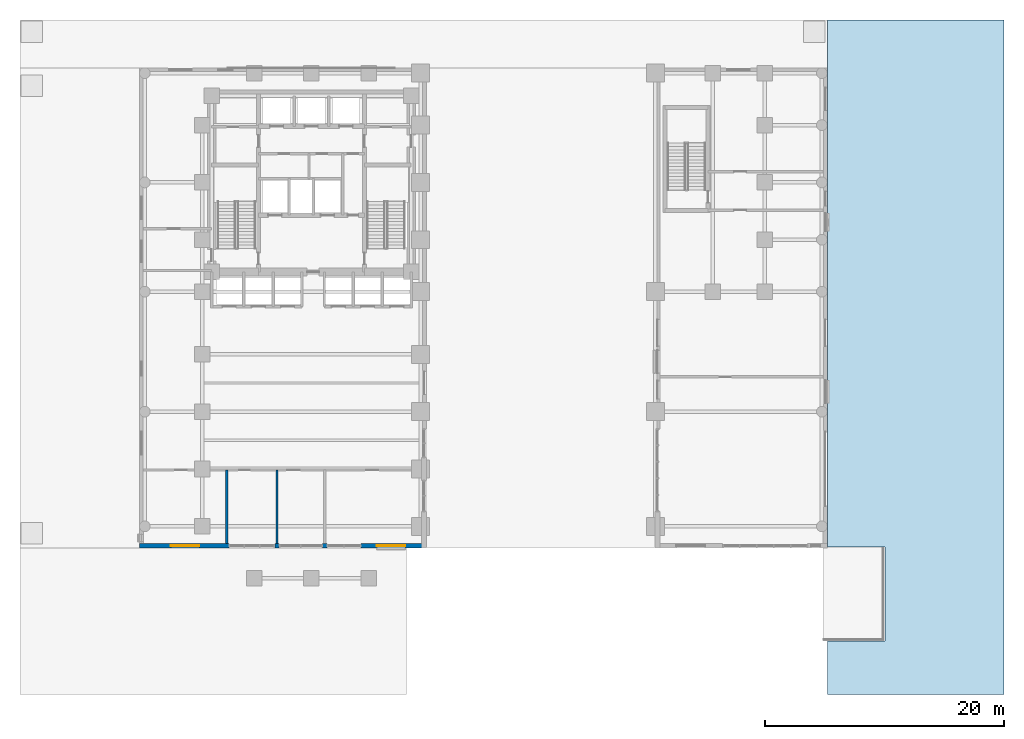
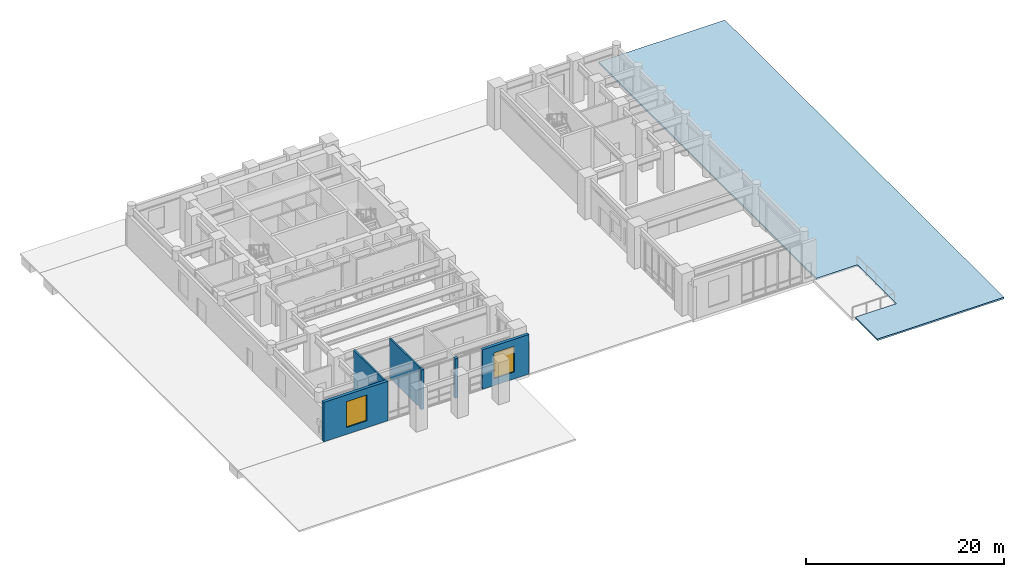
# One storey, part 7 of 16: 6 walls, 2 windows, 1 slab, 2 openings.
"""IFC4 building model written with IfcOpenShell, lengths in metres."""

from ifc_helpers import new_model, si_unit, direction, frame, frame_2d, origin, place, context, subcontext, project, spatial, polyline, rectangle, outline, extrude, material, layer, layer_set, type_object, element, fill, save


model = new_model("IFC4")

# Units and contexts
model_context = context("Model", 3, precision=1e-05, world=origin(), true_north=direction((0.0, 1.0)))
body_context = subcontext(model_context, "Body", "Model", "MODEL_VIEW")
ifc_project = project(units=[si_unit("LENGTHUNIT", "METRE"), si_unit("AREAUNIT", "SQUARE_METRE"), si_unit("VOLUMEUNIT", "CUBIC_METRE"), si_unit("PLANEANGLEUNIT", "RADIAN"), si_unit("MASSUNIT", "GRAM", prefix="KILO")], contexts=[model_context])

# Site, building, storey
site_placement = place(None, origin())
site = spatial("IfcSite", under=ifc_project, at=site_placement, CompositionType="ELEMENT")
building_placement = place(site_placement, origin())
building = spatial("IfcBuilding", under=site, at=building_placement, Name="Orvandelia Arch Residences", CompositionType="ELEMENT")
storey_placement = place(building_placement, origin())
storey = spatial("IfcBuildingStorey", under=building, at=storey_placement, Name="L00", CompositionType="ELEMENT", Elevation=0.0)

# Slab
ifc_material_1 = material(Name="Precast concrete C40/50", Category="concrete")
ifc_layer_1 = layer(ifc_material_1, 0.199951171875, Name="Precast concrete C40/50", Category="concrete")
ifc_layer_set_1 = layer_set([ifc_layer_1], Name="Precast concrete C40/50")
slab_type = type_object("IfcSlabType", Name="SLB-PAV-200", PredefinedType="USERDEFINED", material=ifc_layer_set_1)
slab_placement = place(storey_placement, frame((0.0, 0.0, -0.199951171875)))
element("IfcSlab", 1, at=slab_placement, inside=storey, type_object=slab_type, Name="East Coastal Driveway & Promenade Paving", ObjectType="PAVING", PredefinedType="USERDEFINED", context=body_context, shape_type="SweptSolid", body=[
    extrude(outline(polyline([(57.6201171875, -4.5), (72.39990234375, -4.5), (72.39990234375, 52.0), (57.6201171875, 52.0), (57.6201171875, 7.8798828125), (62.419921875, 7.8798828125), (62.419921875, -0.02001953125), (57.6201171875, -0.02001953125), (57.6201171875, -4.5)])), origin(), (0.0, 0.0, 1.0), 0.199951171875),
])

# Wall
ifc_material_2 = material(Name="Fire-Rated Corridor Partition")
ifc_layer_2 = layer(ifc_material_2, 0.199951171875, Name="Fire-Rated Corridor Partition")
ifc_layer_set_2 = layer_set([ifc_layer_2], Name="Fire-Rated Corridor Partition")
wall_type_1 = type_object("IfcWallType", Name="WL-CORR-200", PredefinedType="PARTITIONING", material=ifc_layer_set_2)
wall_1_placement = place(storey_placement, frame((7.320068359375, 8.159912109375, 0.0), z_axis=(0.0, 0.0, 1.0), x_axis=(0.0, 1.0, 0.0)))
element("IfcWall", 2, at=wall_1_placement, inside=storey, type_object=wall_type_1, Name="Interior Partition Wall WL-L00-FCR-E", PredefinedType="PARTITIONING", context=body_context, shape_type="SweptSolid", body=[
    extrude(rectangle(XDim=6.16015625, YDim=0.199951171875, at=frame_2d((3.080078125, 0.0))), origin(), (0.0, 0.0, 1.0), 4.889892578125),
])

# Wall, opening, window
ifc_layer_3 = layer(ifc_material_1, 0.35009765625, Name="Precast concrete C40/50", Category="concrete")
ifc_layer_set_3 = layer_set([ifc_layer_3], Name="Precast concrete C40/50")
wall_type_2 = type_object("IfcWallType", Name="WL-EXT-POD-350", PredefinedType="STANDARD", material=ifc_layer_set_3)
wall_2_placement = place(storey_placement, frame((24.0, 7.97509765625, 0.0), z_axis=(0.0, 0.0, 1.0), x_axis=(-1.0, 0.0, 0.0)))
wall_2 = element("IfcWall", 3, at=wall_2_placement, inside=storey, type_object=wall_type_2, Name="Coral-Limestone Precast Facade Wall L00-005", PredefinedType="STANDARD", context=body_context, shape_type="SweptSolid", body=[
    extrude(rectangle(XDim=5.43994140625, YDim=0.35009765625, at=frame_2d((2.719970703125, 0.0))), origin(), (0.0, 0.0, 1.0), 4.889892578125),
])
opening_1_placement = place(wall_2_placement, frame((1.72509765625, 0.0, 0.85009765625)))
opening_1 = element("IfcOpeningElement", 4, at=opening_1_placement, cuts=wall_2, Name="Opening W5", PredefinedType="OPENING", context=body_context, shape_type="SweptSolid", body=[
    extrude(rectangle(XDim=2.39990234375, YDim=3.199951171875, at=frame_2d((1.199951171875, 1.60009765625))), frame((0.0, 0.18505859375, 0.0), z_axis=(0.0, -1.0, 0.0), x_axis=(1.0, 0.0, 0.0)), (0.0, 0.0, 1.0), 0.3701171875),
])
ifc_material_3 = material(Name="Laminated Acoustic Double Glazing", Category="glass")
window_type = type_object("IfcWindowType", Name="WIN-POD-2400x3200", PartitioningType="SINGLE_PANEL", PredefinedType="WINDOW", material=ifc_material_3)
window_1_placement = place(opening_1_placement, origin())
window_1 = element("IfcWindow", 5, at=window_1_placement, inside=storey, type_object=window_type, Name="Recessed Punched Window L00-003", OverallHeight=3.199951171875, OverallWidth=2.39990234375, PartitioningType="SINGLE_PANEL", PredefinedType="WINDOW", context=body_context, shape_type="SweptSolid", body=[
    extrude(rectangle(XDim=2.39990234375, YDim=3.199951171875, at=frame_2d((1.199951171875, 1.60009765625))), frame((0.0, 0.030029296875, 0.0), z_axis=(0.0, -1.0, 0.0), x_axis=(1.0, 0.0, 0.0)), (0.0, 0.0, 1.0), 0.06005859375),
])
fill(opening_1, window_1)

# Walls
for number, where, z_axis, x_axis, name in (
    (6, (15.699951171875, 7.97509765625, 0.0), (0.0, 0.0, 1.0), (-1.0, 0.0, 0.0), "Coral-Limestone Precast Facade Wall L00-006"),
    (7, (11.699951171875, 7.97509765625, 0.0), (0.0, 0.0, 1.0), (-1.0, 0.0, 0.0), "Coral-Limestone Precast Facade Wall L00-007"),
):
    element("IfcWall", number, at=place(storey_placement, frame(where, z_axis=z_axis, x_axis=x_axis)), inside=storey, type_object=wall_type_2, Name=name, PredefinedType="STANDARD", context=body_context, shape_type="SweptSolid", body=[
        extrude(rectangle(XDim=0.35986328125, YDim=0.35009765625, at=frame_2d((0.179931640625, 0.0))), origin(), (0.0, 0.0, 1.0), 4.889892578125),
    ])

# Wall, opening, window
wall_3_placement = place(storey_placement, frame((7.5, 7.97509765625, 0.0), z_axis=(0.0, 0.0, 1.0), x_axis=(-1.0, 0.0, 0.0)))
wall_3 = element("IfcWall", 8, at=wall_3_placement, inside=storey, type_object=wall_type_2, Name="Coral-Limestone Precast Facade Wall L00-008", PredefinedType="STANDARD", context=body_context, shape_type="SweptSolid", body=[
    extrude(rectangle(XDim=7.5, YDim=0.35009765625, at=frame_2d((3.75, 0.0))), origin(), (0.0, 0.0, 1.0), 4.889892578125),
])
opening_2_placement = place(wall_3_placement, frame((2.47509765625, 0.0, 0.85009765625)))
opening_2 = element("IfcOpeningElement", 9, at=opening_2_placement, cuts=wall_3, Name="Opening W5", PredefinedType="OPENING", context=body_context, shape_type="SweptSolid", body=[
    extrude(rectangle(XDim=2.39990234375, YDim=3.199951171875, at=frame_2d((1.199951171875, 1.60009765625))), frame((0.0, 0.18505859375, 0.0), z_axis=(0.0, -1.0, 0.0), x_axis=(1.0, 0.0, 0.0)), (0.0, 0.0, 1.0), 0.3701171875),
])
window_2_placement = place(opening_2_placement, origin())
window_2 = element("IfcWindow", 10, at=window_2_placement, inside=storey, type_object=window_type, Name="Recessed Punched Window L00-004", OverallHeight=3.199951171875, OverallWidth=2.39990234375, PartitioningType="SINGLE_PANEL", PredefinedType="WINDOW", context=body_context, shape_type="SweptSolid", body=[
    extrude(rectangle(XDim=2.39990234375, YDim=3.199951171875, at=frame_2d((1.199951171875, 1.60009765625))), frame((0.0, 0.030029296875, 0.0), z_axis=(0.0, -1.0, 0.0), x_axis=(1.0, 0.0, 0.0)), (0.0, 0.0, 1.0), 0.06005859375),
])
fill(opening_2, window_2)

# Wall
ifc_material_4 = material(Name="Moisture-Resistant Plumbing Wall")
ifc_layer_4 = layer(ifc_material_4, 0.179931640625, Name="Moisture-Resistant Plumbing Wall")
ifc_layer_set_4 = layer_set([ifc_layer_4], Name="Moisture-Resistant Plumbing Wall")
wall_type_3 = type_object("IfcWallType", Name="WL-WET-180", PredefinedType="PLUMBINGWALL", material=ifc_layer_set_4)
wall_4_placement = place(storey_placement, frame((11.52001953125, 8.159912109375, 0.0), z_axis=(0.0, 0.0, 1.0), x_axis=(0.0, 1.0, 0.0)))
element("IfcWall", 11, at=wall_4_placement, inside=storey, type_object=wall_type_3, Name="Interior Partition Wall WL-L00-WC-E", PredefinedType="PLUMBINGWALL", context=body_context, shape_type="SweptSolid", body=[
    extrude(rectangle(XDim=6.16015625, YDim=0.179931640625, at=frame_2d((3.080078125, 0.0))), origin(), (0.0, 0.0, 1.0), 4.889892578125),
])

save(model, "model.ifc")
